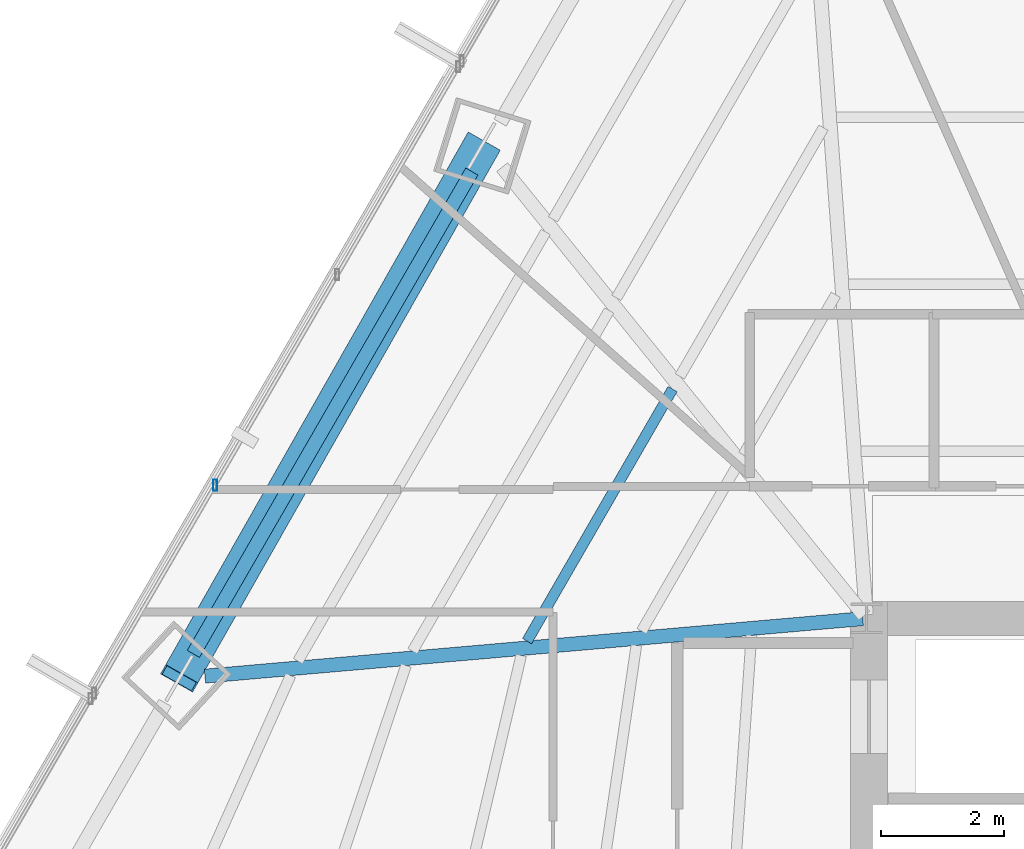
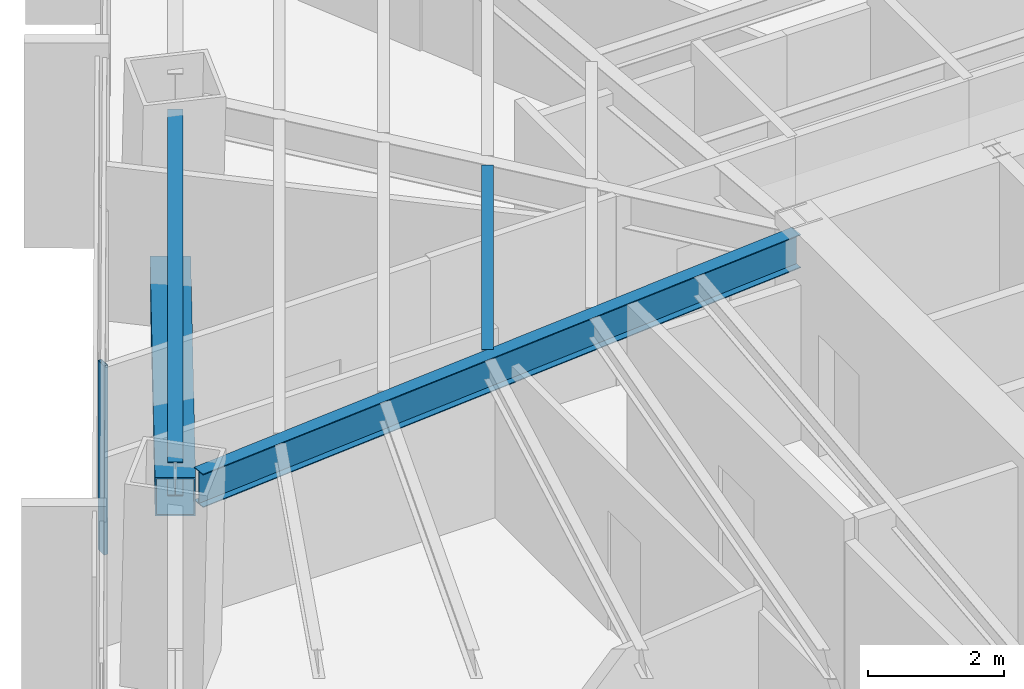
# One storey, part 12 of 34: 3 beams, 2 members, 1 element without a shape of its own.
"""IFC4 building model written with IfcOpenShell, lengths in metres."""

from ifc_helpers import new_model, si_unit, direction, frame, origin, origin_2d, place, context, subcontext, project, spatial, hollow_rectangle, i_section, extrude, source, transform, mapped, material, material_profile, profile_set, type_object, type_shapes, element, aggregate, save


model = new_model("IFC4")

# Units and contexts
model_context = context("Model", 3, precision=1e-05, world=origin(), true_north=direction((0.0, 1.0)))
body_context = subcontext(model_context, "Body", "Model", "MODEL_VIEW")
ifc_project = project(units=[si_unit("LENGTHUNIT", "METRE"), si_unit("AREAUNIT", "SQUARE_METRE"), si_unit("VOLUMEUNIT", "CUBIC_METRE"), si_unit("PLANEANGLEUNIT", "RADIAN"), si_unit("MASSUNIT", "GRAM", prefix="KILO")], contexts=[model_context])

# Site, building, storey
site_placement = place(None, origin())
site = spatial("IfcSite", under=ifc_project, at=site_placement, CompositionType="ELEMENT")
building_placement = place(site_placement, origin())
building = spatial("IfcBuilding", under=site, at=building_placement, Name="Caelisora Broadcast Tower", CompositionType="ELEMENT")
storey_placement = place(building_placement, frame((0.0, 0.0, 49.5)))
storey = spatial("IfcBuildingStorey", under=building, at=storey_placement, Name="L12", CompositionType="ELEMENT", Elevation=49.5)

# Beams
ifc_material_1 = material(Name="Steel Grade 350 (AS/NZS 3679.1)", Category="steel")
ifc_material_profile_1 = material_profile(ifc_material_1, i_section(OverallWidth=0.22900390625, OverallDepth=0.611572265625, WebThickness=0.011962890625, FlangeThickness=0.01953125, at=origin_2d()), Name="Steel Grade 350 (AS/NZS 3679.1)")
ifc_profile_set_1 = profile_set([ifc_material_profile_1], Name="Steel Grade 350 (AS/NZS 3679.1)")
beam_type_1 = type_object("IfcBeamType", Name="PG03", PredefinedType="BEAM", material=ifc_profile_set_1)
shared_shape_1 = source(origin(), body_context, "Body", "SweptSolid", [
    extrude(i_section(OverallWidth=0.22900390625, OverallDepth=0.611572265625, WebThickness=0.011962890625, FlangeThickness=0.01953125, at=origin_2d()), origin(), (0.0, 0.0, 1.0), 9.064208984375),
])
type_shapes(beam_type_1, [shared_shape_1])
beam_1_placement = place(storey_placement, frame((24.07666015625, 37.27197265625, 3.09423828125), z_axis=(-0.500009227573, -0.866020076177, 0.0), x_axis=(0.866020076177, -0.500009227573, 0.0)))
element("IfcBeam", 1, at=beam_1_placement, inside=storey, type_object=beam_type_1, Name="L12 beam PG03", PredefinedType="BEAM", context=body_context, shape_type="MappedRepresentation", body=[
    mapped(shared_shape_1, transform((0.0, 0.0, 0.0), scale=1.0)),
])
ifc_material_profile_2 = material_profile(ifc_material_1, i_section(OverallWidth=0.22802734375, OverallDepth=0.602294921875, WebThickness=0.010498046875, FlangeThickness=0.014892578125, at=origin_2d()), Name="Steel Grade 350 (AS/NZS 3679.1)")
ifc_profile_set_2 = profile_set([ifc_material_profile_2], Name="Steel Grade 350 (AS/NZS 3679.1)")
beam_type_2 = type_object("IfcBeamType", Name="PG04", PredefinedType="BEAM", material=ifc_profile_set_2)
shared_shape_2 = source(origin(), body_context, "Body", "SweptSolid", [
    extrude(i_section(OverallWidth=0.22802734375, OverallDepth=0.602294921875, WebThickness=0.010498046875, FlangeThickness=0.014892578125, at=origin_2d()), origin(), (0.0, 0.0, 1.0), 10.748046875),
])
type_shapes(beam_type_2, [shared_shape_2])
beam_2_placement = place(storey_placement, frame((30.440185546875, 29.994873046875, 3.098876953125), z_axis=(-0.996210440362, -0.086975620224, 0.0), x_axis=(0.086975620224, -0.996210440362, 0.0)))
element("IfcBeam", 2, at=beam_2_placement, inside=storey, type_object=beam_type_2, Name="L12 beam PG04", PredefinedType="BEAM", context=body_context, shape_type="MappedRepresentation", body=[
    mapped(shared_shape_2, transform((0.0, 0.0, 0.0), scale=1.0)),
])
ifc_material_profile_3 = material_profile(ifc_material_1, i_section(OverallWidth=0.172119140625, OverallDepth=0.358642578125, WebThickness=0.008056640625, FlangeThickness=0.012939453125, at=origin_2d()), Name="Steel Grade 350 (AS/NZS 3679.1)")
ifc_profile_set_3 = profile_set([ifc_material_profile_3], Name="Steel Grade 350 (AS/NZS 3679.1)")
beam_type_3 = type_object("IfcBeamType", Name="SB02", PredefinedType="JOIST", material=ifc_profile_set_3)
shared_shape_3 = source(origin(), body_context, "Body", "SweptSolid", [
    extrude(i_section(OverallWidth=0.172119140625, OverallDepth=0.358642578125, WebThickness=0.008056640625, FlangeThickness=0.012939453125, at=origin_2d()), origin(), (0.0, 0.0, 1.0), 4.73681640625),
])
type_shapes(beam_type_3, [shared_shape_3])
beam_3_placement = place(storey_placement, frame((27.34375, 33.73193359375, 3.220703125), z_axis=(-0.499991628305, -0.866030237131, 0.0), x_axis=(0.866030237131, -0.499991628305, 0.0)))
element("IfcBeam", 3, at=beam_3_placement, inside=storey, type_object=beam_type_3, Name="L12 beam SB02", PredefinedType="JOIST", context=body_context, shape_type="MappedRepresentation", body=[
    mapped(shared_shape_3, transform((0.0, 0.0, 0.0), scale=1.0)),
])

# Member
ifc_material_2 = material(Name="Steel Grade 450 L15 (AS/NZS 3678)", Category="steel")
ifc_material_profile_4 = material_profile(ifc_material_2, hollow_rectangle(XDim=0.60009765625, YDim=0.60009765625, WallThickness=0.02490234375, at=origin_2d()), Name="Steel Grade 450 L15 (AS/NZS 3678)")
ifc_profile_set_4 = profile_set([ifc_material_profile_4], Name="Steel Grade 450 L15 (AS/NZS 3678)")
member_type_1 = type_object("IfcMemberType", Name="BR01", PredefinedType="BRACE", material=ifc_profile_set_4)
shared_shape_4 = source(origin(), body_context, "Body", "SweptSolid", [
    extrude(hollow_rectangle(XDim=0.60009765625, YDim=0.60009765625, WallThickness=0.02490234375, at=origin_2d()), origin(), (0.0, 0.0, 1.0), 10.409912109375),
])
type_shapes(member_type_1, [shared_shape_4])
member_1_placement = place(storey_placement, frame((24.23583984375, 37.6923828125, 0.10009765625), z_axis=(-0.472759337384, -0.832734685608, 0.288186662257), x_axis=(0.869629361951, -0.493705147667, 0.0)))
element("IfcMember", 4, at=member_1_placement, inside=storey, type_object=member_type_1, Name="L12 perimeter brace BR01", PredefinedType="BRACE", context=body_context, shape_type="MappedRepresentation", body=[
    mapped(shared_shape_4, transform((0.0, 0.0, 0.0), scale=1.0)),
])

# Curtain wall, member
ifc_material_3 = material(Name="Unitised Aluminium Insulated Shadow-Box Spandrel Curtain Wall", Category="aluminium")
curtain_wall_type = type_object("IfcCurtainWallType", Name="CW-SP1", PredefinedType="NOTDEFINED", material=ifc_material_3)
curtain_wall_placement = place(storey_placement, origin())
curtain_wall = element("IfcCurtainWall", 5, at=curtain_wall_placement, inside=storey, type_object=curtain_wall_type, Name="L12 curtain wall CW-SP1", PredefinedType="NOTDEFINED")
ifc_material_4 = material(Name="Aluminium 6063-T6 Anodised Terracotta Bronze", Category="aluminium")
ifc_material_profile_5 = material_profile(ifc_material_4, hollow_rectangle(XDim=0.06494140625, YDim=0.179931640625, WallThickness=0.00341796875, at=origin_2d()), Name="Aluminium 6063-T6 Anodised Terracotta Bronze")
ifc_profile_set_5 = profile_set([ifc_material_profile_5], Name="Aluminium 6063-T6 Anodised Terracotta Bronze")
member_type_2 = type_object("IfcMemberType", Name="CWM-02", PredefinedType="MULLION", material=ifc_profile_set_5)
shared_shape_5 = source(origin(), body_context, "Body", "SweptSolid", [
    extrude(hollow_rectangle(XDim=0.06494140625, YDim=0.179931640625, WallThickness=0.00341796875, at=origin_2d()), origin(), (0.0, 0.0, 1.0), 3.39990234375),
])
type_shapes(member_type_2, [shared_shape_5])
member_2_placement = place(storey_placement, frame((19.89697265625, 32.167236328125, 0.0), z_axis=(0.0, 0.0, 1.0), x_axis=(1.0, 0.0, 0.0)))
member_2 = element("IfcMember", 6, at=member_2_placement, type_object=member_type_2, Name="L12-CW-B10 mullion #1", PredefinedType="MULLION", context=body_context, shape_type="MappedRepresentation", body=[
    mapped(shared_shape_5, transform((0.0, 0.0, 0.0), scale=1.0)),
])
aggregate(curtain_wall, [member_2])

save(model, "model.ifc")
